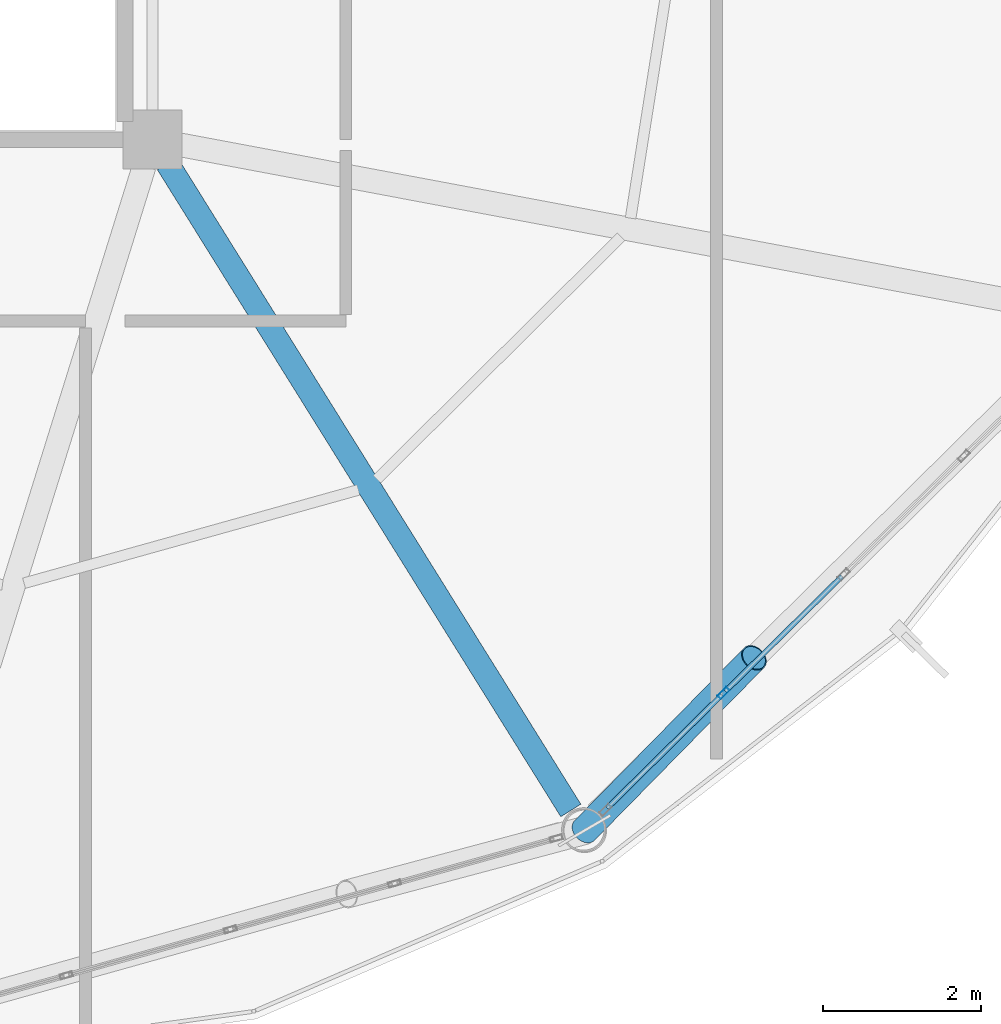
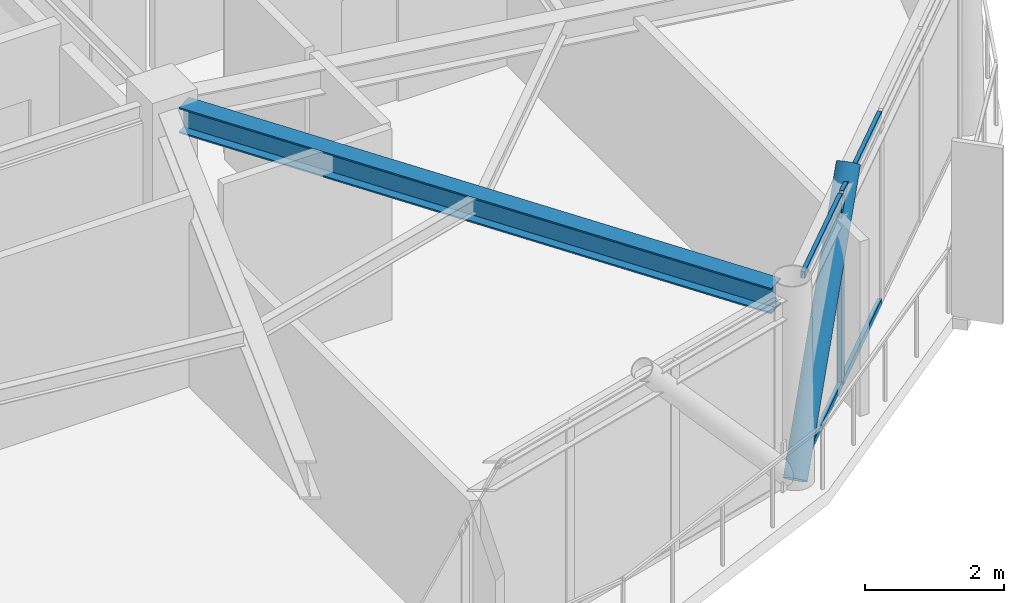
# One storey, part 7 of 26: 6 members, 1 beam, 1 element without a shape of its own.
"""IFC4 building model written with IfcOpenShell, lengths in metres."""

from ifc_helpers import new_model, si_unit, direction, frame, origin, origin_2d, place, context, subcontext, project, spatial, hollow_rectangle, hollow_circle, i_section, extrude, material, layer, layer_set, material_profile, profile_set, type_object, element, aggregate, save


model = new_model("IFC4")

# Units and contexts
model_context = context("Model", 3, precision=1e-05, world=origin(), true_north=direction((0.0, 1.0)))
body_context = subcontext(model_context, "Body", "Model", "MODEL_VIEW")
ifc_project = project(units=[si_unit("LENGTHUNIT", "METRE"), si_unit("AREAUNIT", "SQUARE_METRE"), si_unit("VOLUMEUNIT", "CUBIC_METRE"), si_unit("PLANEANGLEUNIT", "RADIAN"), si_unit("MASSUNIT", "GRAM", prefix="KILO")], contexts=[model_context])

# Site, building, storey
site_placement = place(None, origin())
site = spatial("IfcSite", under=ifc_project, at=site_placement, CompositionType="ELEMENT")
building_placement = place(site_placement, origin())
building = spatial("IfcBuilding", under=site, at=building_placement, Name="Varnakorn Sky Granary", CompositionType="ELEMENT")
storey_placement = place(building_placement, frame((0.0, 0.0, 270.60009765625)))
storey = spatial("IfcBuildingStorey", under=building, at=storey_placement, Name="L69", CompositionType="ELEMENT", Elevation=270.60009765625)

# Beam
ifc_material_1 = material(Name="Steel S355JR", Category="steel")
ifc_material_profile_1 = material_profile(ifc_material_1, i_section(OverallWidth=0.300048828125, OverallDepth=0.449951171875, WebThickness=0.013916015625, FlangeThickness=0.02587890625, at=origin_2d()), Name="HE 450 B")
ifc_profile_set_1 = profile_set([ifc_material_profile_1], Name="Steel S355JR")
beam_type = type_object("IfcBeamType", Name="BM-RAD-Z5", PredefinedType="BEAM", material=ifc_profile_set_1)
beam_placement = place(storey_placement, frame((8.537841796875, -6.901123046875, 3.135009765625), z_axis=(0.529126962863, -0.848542666677, 0.0), x_axis=(0.848542666677, 0.529126962863, 0.0)))
element("IfcBeam", 1, at=beam_placement, inside=storey, type_object=beam_type, Name="Radial Floor Girder RG11 L69", PredefinedType="BEAM", context=body_context, shape_type="SweptSolid", body=[
    extrude(i_section(OverallWidth=0.300048828125, OverallDepth=0.449951171875, WebThickness=0.013916015625, FlangeThickness=0.02587890625, at=origin_2d()), origin(), (0.0, 0.0, 1.0), 9.667236328125),
])

# Curtain wall, members
ifc_material_2 = material(Name="Anodised Bronze Aluminium Alloy 6063-T6", Category="aluminium")
ifc_layer = layer(ifc_material_2, 0.159912109375, Name="Anodised Bronze Aluminium Alloy 6063-T6")
ifc_layer_set = layer_set([ifc_layer], Name="Anodised Bronze Aluminium Alloy 6063-T6")
curtain_wall_type = type_object("IfcCurtainWallType", Name="CW-OFF-1", PredefinedType="USERDEFINED", material=ifc_layer_set)
curtain_wall_placement = place(storey_placement, origin())
curtain_wall = element("IfcCurtainWall", 2, at=curtain_wall_placement, inside=storey, type_object=curtain_wall_type, Name="Unitised Curtain Wall CW6 CW-L69-B11", ObjectType="CURTAIN WALL", PredefinedType="USERDEFINED")
ifc_material_profile_2 = material_profile(ifc_material_2, hollow_rectangle(XDim=0.06494140625, YDim=0.159912109375, WallThickness=0.00341796875, at=origin_2d()), Name="ALU MULL 65x160")
ifc_profile_set_2 = profile_set([ifc_material_profile_2], Name="Anodised Bronze Aluminium Alloy 6063-T6")
member_type_1 = type_object("IfcMemberType", Name="CW-OFF-1-MULL", PredefinedType="MULLION", material=ifc_profile_set_2)
member_1_placement = place(storey_placement, frame((15.590576171875, -13.615966796875, 0.0), z_axis=(0.0, 0.0, 1.0), x_axis=(0.702728935419, -0.711457689062, 0.0)))
member_1 = element("IfcMember", 3, at=member_1_placement, type_object=member_type_1, Name="CW6 mullion 4", PredefinedType="MULLION", context=body_context, shape_type="SweptSolid", body=[
    extrude(hollow_rectangle(XDim=0.06494140625, YDim=0.159912109375, WallThickness=0.00341796875, at=origin_2d()), origin(), (0.0, 0.0, 1.0), 3.35986328125),
])
ifc_material_profile_3 = material_profile(ifc_material_2, hollow_rectangle(XDim=0.06494140625, YDim=0.1201171875, WallThickness=0.00341796875, at=origin_2d()), Name="ALU TRAN 65x120")
ifc_profile_set_3 = profile_set([ifc_material_profile_3], Name="Anodised Bronze Aluminium Alloy 6063-T6")
member_type_2 = type_object("IfcMemberType", Name="CW-OFF-1-TRAN", PredefinedType="USERDEFINED", material=ifc_profile_set_3)
member_2_placement = place(storey_placement, frame((17.089599609375, -12.135498046875, 0.032470703125), z_axis=(-0.711447975493, -0.702738769506, 0.0), x_axis=(0.702738769506, -0.711447975493, 0.0)))
member_2 = element("IfcMember", 4, at=member_2_placement, type_object=member_type_2, Name="CW6 transom 3.1", ObjectType="TRANSOM", PredefinedType="USERDEFINED", context=body_context, shape_type="SweptSolid", body=[
    extrude(hollow_rectangle(XDim=0.06494140625, YDim=0.1201171875, WallThickness=0.00341796875, at=origin_2d()), origin(), (0.0, 0.0, 1.0), 2.074462890625),
])
member_3_placement = place(storey_placement, frame((17.089599609375, -12.135498046875, 3.327392578125), z_axis=(-0.711447975493, -0.702738769506, 0.0), x_axis=(0.702738769506, -0.711447975493, 0.0)))
member_3 = element("IfcMember", 5, at=member_3_placement, type_object=member_type_2, Name="CW6 transom 3.2", ObjectType="TRANSOM", PredefinedType="USERDEFINED", context=body_context, shape_type="SweptSolid", body=[
    extrude(hollow_rectangle(XDim=0.06494140625, YDim=0.1201171875, WallThickness=0.00341796875, at=origin_2d()), origin(), (0.0, 0.0, 1.0), 2.074462890625),
])
member_4_placement = place(storey_placement, frame((15.567626953125, -13.638916015625, 0.032470703125), z_axis=(-0.711516757365, -0.702669128387, 0.0), x_axis=(0.702669128387, -0.711516757365, 0.0)))
member_4 = element("IfcMember", 6, at=member_4_placement, type_object=member_type_2, Name="CW6 transom 4.1", ObjectType="TRANSOM", PredefinedType="USERDEFINED", context=body_context, shape_type="SweptSolid", body=[
    extrude(hollow_rectangle(XDim=0.06494140625, YDim=0.1201171875, WallThickness=0.00341796875, at=origin_2d()), origin(), (0.0, 0.0, 1.0), 2.0419921875),
])
member_5_placement = place(storey_placement, frame((15.567626953125, -13.638916015625, 3.327392578125), z_axis=(-0.711516757365, -0.702669128387, 0.0), x_axis=(0.702669128387, -0.711516757365, 0.0)))
member_5 = element("IfcMember", 7, at=member_5_placement, type_object=member_type_2, Name="CW6 transom 4.2", ObjectType="TRANSOM", PredefinedType="USERDEFINED", context=body_context, shape_type="SweptSolid", body=[
    extrude(hollow_rectangle(XDim=0.06494140625, YDim=0.1201171875, WallThickness=0.00341796875, at=origin_2d()), origin(), (0.0, 0.0, 1.0), 2.0419921875),
])
aggregate(curtain_wall, [member_1, member_2, member_3, member_4, member_5])

# Member
ifc_material_3 = material(Name="Steel S460M", Category="steel")
ifc_material_profile_4 = material_profile(ifc_material_3, hollow_circle(Radius=0.177734375, WallThickness=0.01416015625, at=origin_2d()), Name="CHS 355.6x14")
ifc_profile_set_4 = profile_set([ifc_material_profile_4], Name="Steel S460M")
member_type_3 = type_object("IfcMemberType", Name="MB-DIAG-T5", PredefinedType="BRACE", material=ifc_profile_set_4)
member_6_placement = place(storey_placement, frame((13.826904296875, -15.358154296875, 0.0), z_axis=(0.462363909436, 0.471139312649, 0.751164005612), x_axis=(-0.713722408202, 0.700428671622, 0.0)))
element("IfcMember", 8, at=member_6_placement, inside=storey, type_object=member_type_3, Name="Perimeter CHS Diagrid Brace DG11 L69", PredefinedType="BRACE", context=body_context, shape_type="SweptSolid", body=[
    extrude(hollow_circle(Radius=0.177734375, WallThickness=0.01416015625, at=origin_2d()), origin(), (0.0, 0.0, 1.0), 4.64599609375),
])

save(model, "model.ifc")
